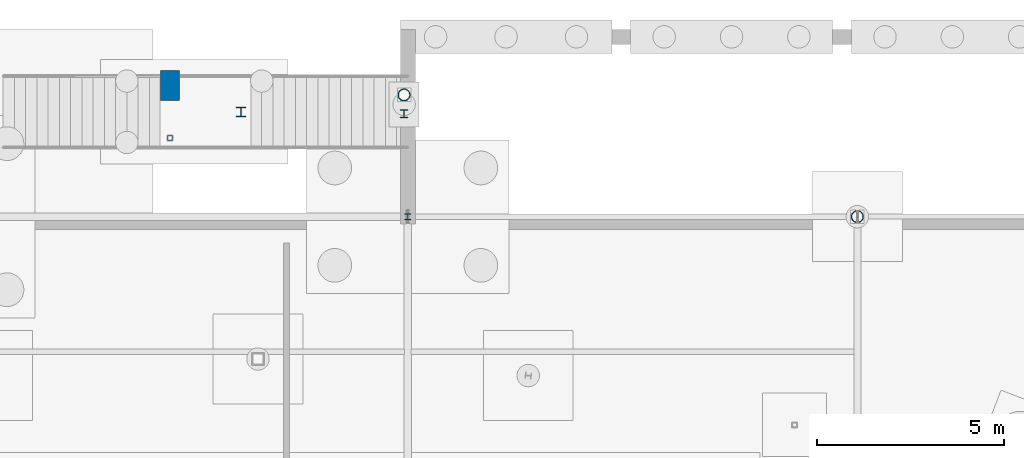
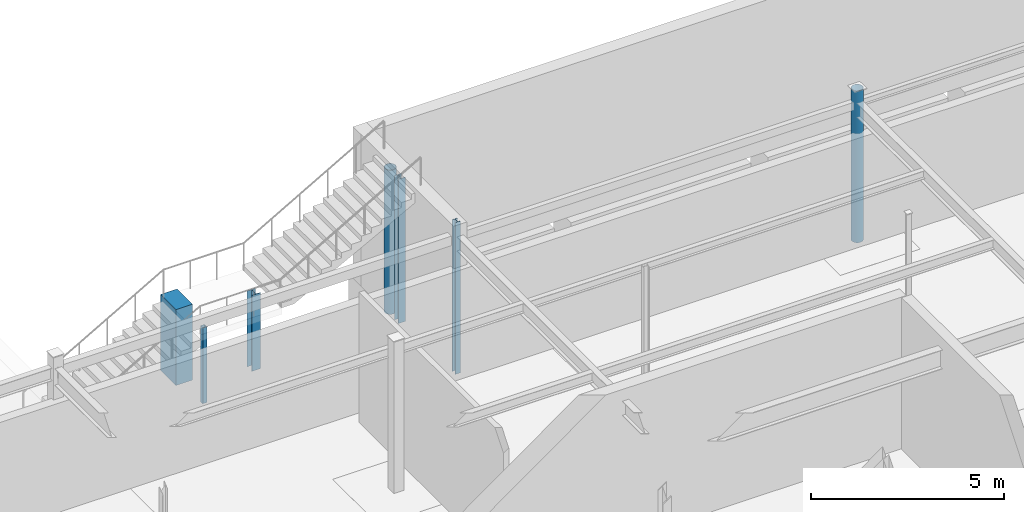
# One storey, part 73 of 136: 7 columns.
"""IFC4 building model written with IfcOpenShell, lengths in metres."""

from ifc_helpers import new_model, si_unit, direction, frame, origin, origin_2d, place, context, subcontext, project, spatial, rectangle, hollow_rectangle, hollow_circle, i_section, extrude, material, material_profile, profile_set, type_object, element, save


model = new_model("IFC4")

# Units and contexts
model_context = context("Model", 3, precision=1e-05, world=origin(), true_north=direction((0.0, 1.0)))
body_context = subcontext(model_context, "Body", "Model", "MODEL_VIEW")
ifc_project = project(units=[si_unit("LENGTHUNIT", "METRE"), si_unit("AREAUNIT", "SQUARE_METRE"), si_unit("VOLUMEUNIT", "CUBIC_METRE"), si_unit("PLANEANGLEUNIT", "RADIAN"), si_unit("MASSUNIT", "GRAM", prefix="KILO")], contexts=[model_context])

# Site, building, storey
site_placement = place(None, origin())
site = spatial("IfcSite", under=ifc_project, at=site_placement, CompositionType="ELEMENT")
building_placement = place(site_placement, origin())
building = spatial("IfcBuilding", under=site, at=building_placement, Name="Tarnwether General Hospital", CompositionType="ELEMENT")
storey_placement = place(building_placement, frame((0.0, 0.0, -4.800048828125)))
storey = spatial("IfcBuildingStorey", under=building, at=storey_placement, Name="LG", CompositionType="ELEMENT", Elevation=-4.800048828125)

# Columns
ifc_material_1 = material(Name="Concrete 50 MPa", Category="concrete")
ifc_material_profile_1 = material_profile(ifc_material_1, rectangle(XDim=0.5, YDim=0.800048828125, at=origin_2d()), Name="RC-PIL-500x800")
ifc_profile_set_1 = profile_set([ifc_material_profile_1], Name="Concrete 50 MPa")
column_type_1 = type_object("IfcColumnType", Name="COL-23", PredefinedType="PILASTER", material=ifc_profile_set_1)
column_1_placement = place(storey_placement, frame((89.64990234375, 129.5, 0.0), z_axis=(0.0, 0.0, 1.0), x_axis=(1.0, 0.0, 0.0)))
element("IfcColumn", 1, at=column_1_placement, inside=storey, type_object=column_type_1, Name="Column COLG-LG-8965_12950", PredefinedType="PILASTER", context=body_context, shape_type="SweptSolid", body=[
    extrude(rectangle(XDim=0.5, YDim=0.800048828125, at=origin_2d()), origin(), (0.0, 0.0, 1.0), 2.400146484375),
])
ifc_material_2 = material(Name="Steel Grade 350 (350 MPa)", Category="steel")
ifc_material_profile_2 = material_profile(ifc_material_2, i_section(OverallWidth=0.25390625, OverallDepth=0.25390625, WebThickness=0.008544921875, FlangeThickness=0.01416015625, at=origin_2d()), Name="250UC72.9")
ifc_profile_set_2 = profile_set([ifc_material_profile_2], Name="Steel Grade 350 (350 MPa)")
column_type_2 = type_object("IfcColumnType", Name="COL-24", PredefinedType="COLUMN", material=ifc_profile_set_2)
column_2_placement = place(storey_placement, frame((91.550048828125, 128.800048828125, 0.0), z_axis=(0.0, 0.0, 1.0), x_axis=(1.0, 0.0, 0.0)))
element("IfcColumn", 2, at=column_2_placement, inside=storey, type_object=column_type_2, Name="Column COLG-LG-9155_12880", PredefinedType="COLUMN", context=body_context, shape_type="SweptSolid", body=[
    extrude(i_section(OverallWidth=0.25390625, OverallDepth=0.25390625, WebThickness=0.008544921875, FlangeThickness=0.01416015625, at=origin_2d()), origin(), (0.0, 0.0, 1.0), 2.400146484375),
])
ifc_material_3 = material(Name="Steel Grade 350 (350 MPa)", Category="steel")
ifc_material_profile_3 = material_profile(ifc_material_3, i_section(OverallWidth=0.205078125, OverallDepth=0.2099609375, WebThickness=0.00927734375, FlangeThickness=0.01416015625, at=origin_2d()), Name="200UC59.5")
ifc_profile_set_3 = profile_set([ifc_material_profile_3], Name="Steel Grade 350 (350 MPa)")
column_type_3 = type_object("IfcColumnType", Name="COL-25", PredefinedType="COLUMN", material=ifc_profile_set_3)
column_3_placement = place(storey_placement, frame((95.89990234375, 128.75, 0.0), z_axis=(0.0, 0.0, 1.0), x_axis=(1.0, 0.0, 0.0)))
element("IfcColumn", 3, at=column_3_placement, inside=storey, type_object=column_type_3, Name="Column COLG-LG-9590_12875", PredefinedType="COLUMN", context=body_context, shape_type="SweptSolid", body=[
    extrude(i_section(OverallWidth=0.205078125, OverallDepth=0.2099609375, WebThickness=0.00927734375, FlangeThickness=0.01416015625, at=origin_2d()), origin(), (0.0, 0.0, 1.0), 4.56005859375),
])
ifc_material_4 = material(Name="Steel Grade C350L0 (350 MPa)", Category="steel")
ifc_material_profile_4 = material_profile(ifc_material_4, hollow_circle(Radius=0.161865234375, WallThickness=0.0126953125, at=origin_2d()), Name="CHS323.9x12.7")
ifc_profile_set_4 = profile_set([ifc_material_profile_4], Name="Steel Grade C350L0 (350 MPa)")
column_type_4 = type_object("IfcColumnType", Name="COL-26", PredefinedType="COLUMN", material=ifc_profile_set_4)
column_4_placement = place(storey_placement, frame((108.0, 126.0, 0.0), z_axis=(0.0, 0.0, 1.0), x_axis=(0.0, 1.0, 0.0)))
element("IfcColumn", 4, at=column_4_placement, inside=storey, type_object=column_type_4, Name="Column COLG-LG-10800_12600", PredefinedType="COLUMN", context=body_context, shape_type="SweptSolid", body=[
    extrude(hollow_circle(Radius=0.161865234375, WallThickness=0.0126953125, at=origin_2d()), origin(), (0.0, 0.0, 1.0), 4.800048828125),
])
column_5_placement = place(storey_placement, frame((95.89990234375, 129.25, 0.0), z_axis=(0.0, 0.0, 1.0), x_axis=(1.0, 0.0, 0.0)))
element("IfcColumn", 5, at=column_5_placement, inside=storey, type_object=column_type_4, Name="Column COLG-LG-9590_12925", PredefinedType="COLUMN", context=body_context, shape_type="SweptSolid", body=[
    extrude(hollow_circle(Radius=0.161865234375, WallThickness=0.0126953125, at=origin_2d()), origin(), (0.0, 0.0, 1.0), 4.56005859375),
])
ifc_material_5 = material(Name="Steel Grade 350 (350 MPa)", Category="steel")
ifc_material_profile_5 = material_profile(ifc_material_5, i_section(OverallWidth=0.154052734375, OverallDepth=0.162109375, WebThickness=0.008056640625, FlangeThickness=0.011474609375, at=origin_2d()), Name="150UC37.2")
ifc_profile_set_5 = profile_set([ifc_material_profile_5], Name="Steel Grade 350 (350 MPa)")
column_type_5 = type_object("IfcColumnType", Name="COL-28", PredefinedType="COLUMN", material=ifc_profile_set_5)
column_6_placement = place(storey_placement, frame((96.0, 126.0, 0.0), z_axis=(0.0, 0.0, 1.0), x_axis=(1.0, 0.0, 0.0)))
element("IfcColumn", 6, at=column_6_placement, inside=storey, type_object=column_type_5, Name="Column COLG-LG-9600_12600", PredefinedType="COLUMN", context=body_context, shape_type="SweptSolid", body=[
    extrude(i_section(OverallWidth=0.154052734375, OverallDepth=0.162109375, WebThickness=0.008056640625, FlangeThickness=0.011474609375, at=origin_2d()), origin(), (0.0, 0.0, 1.0), 4.800048828125),
])
ifc_material_6 = material(Name="Steel Grade C350L0 (350 MPa)", Category="steel")
ifc_material_profile_6 = material_profile(ifc_material_6, hollow_rectangle(XDim=0.125, YDim=0.125, WallThickness=0.006103515625, at=origin_2d()), Name="SHS125x125x6")
ifc_profile_set_6 = profile_set([ifc_material_profile_6], Name="Steel Grade C350L0 (350 MPa)")
column_type_6 = type_object("IfcColumnType", Name="COL-34", PredefinedType="COLUMN", material=ifc_profile_set_6)
column_7_placement = place(storey_placement, frame((89.64990234375, 128.10009765625, 0.0), z_axis=(0.0, 0.0, 1.0), x_axis=(1.0, 0.0, 0.0)))
element("IfcColumn", 7, at=column_7_placement, inside=storey, type_object=column_type_6, Name="Column COLG-LG-8965_12810", PredefinedType="COLUMN", context=body_context, shape_type="SweptSolid", body=[
    extrude(hollow_rectangle(XDim=0.125, YDim=0.125, WallThickness=0.006103515625, at=origin_2d()), origin(), (0.0, 0.0, 1.0), 2.400146484375),
])

save(model, "model.ifc")
